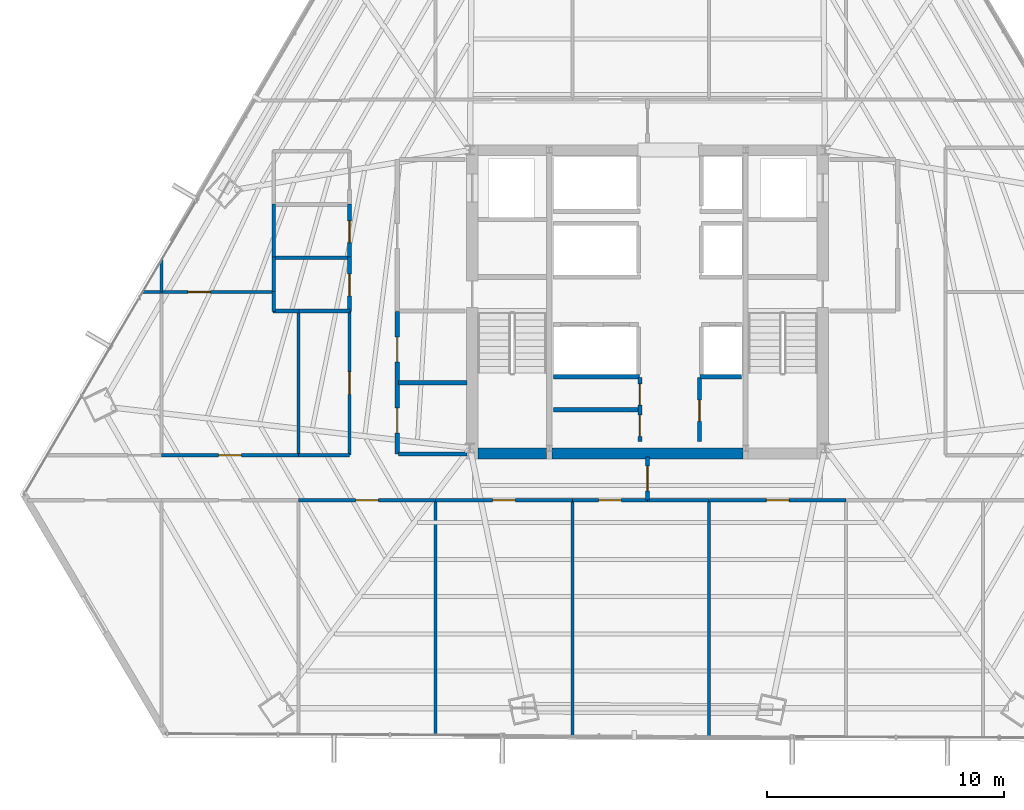
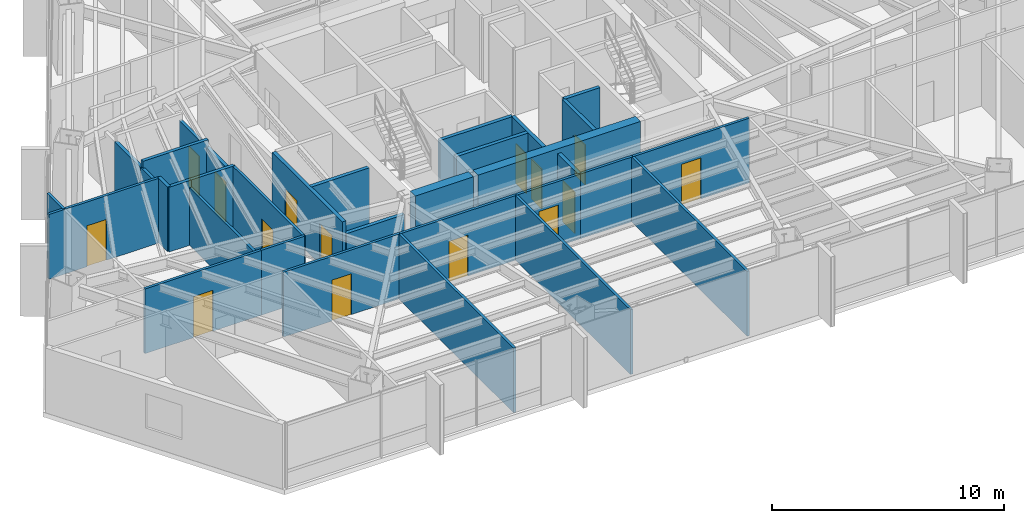
# One storey, part 30 of 37: 33 walls, 15 doors, 15 openings.
"""IFC4 building model written with IfcOpenShell, lengths in metres."""

from ifc_helpers import new_model, si_unit, direction, frame, frame_2d, origin, place, context, subcontext, project, spatial, rectangle, extrude, material, layer, layer_set, type_object, element, fill, save


model = new_model("IFC4")

# Units and contexts
model_context = context("Model", 3, precision=1e-05, world=origin(), true_north=direction((0.0, 1.0)))
body_context = subcontext(model_context, "Body", "Model", "MODEL_VIEW")
ifc_project = project(units=[si_unit("LENGTHUNIT", "METRE"), si_unit("AREAUNIT", "SQUARE_METRE"), si_unit("VOLUMEUNIT", "CUBIC_METRE"), si_unit("PLANEANGLEUNIT", "RADIAN"), si_unit("MASSUNIT", "GRAM", prefix="KILO")], contexts=[model_context])

# Site, building, storey
site_placement = place(None, origin())
site = spatial("IfcSite", under=ifc_project, at=site_placement, CompositionType="ELEMENT")
building_placement = place(site_placement, origin())
building = spatial("IfcBuilding", under=site, at=building_placement, Name="Caelisora Broadcast Tower", CompositionType="ELEMENT")
storey_placement = place(building_placement, frame((0.0, 0.0, 105.39990234375)))
storey = spatial("IfcBuildingStorey", under=building, at=storey_placement, Name="L27", CompositionType="ELEMENT", Elevation=105.39990234375)

# Walls
ifc_material_1 = material(Name="Concrete 50 MPa (AS 3600 S50)", Category="concrete")
ifc_layer_1 = layer(ifc_material_1, 0.449951171875, Name="Concrete 50 MPa (AS 3600 S50)")
ifc_layer_set_1 = layer_set([ifc_layer_1], Name="Concrete 50 MPa (AS 3600 S50)")
wall_type_1 = type_object("IfcWallType", Name="CW5", PredefinedType="SHEAR", material=ifc_layer_set_1)
wall_1_placement = place(storey_placement, frame((30.840087890625, 17.175048828125, 0.0), z_axis=(0.0, 0.0, 1.0), x_axis=(1.0, 0.0, 0.0)))
element("IfcWall", 1, at=wall_1_placement, inside=storey, type_object=wall_type_1, Name="L27 core shear wall CW5", PredefinedType="SHEAR", context=body_context, shape_type="SweptSolid", body=[
    extrude(rectangle(XDim=2.89990234375, YDim=0.449951171875, at=frame_2d((1.449951171875, 0.0))), origin(), (0.0, 0.0, 1.0), 3.650146484375),
])
wall_2_placement = place(storey_placement, frame((33.9599609375, 17.175048828125, 0.0), z_axis=(0.0, 0.0, 1.0), x_axis=(1.0, 0.0, 0.0)))
element("IfcWall", 2, at=wall_2_placement, inside=storey, type_object=wall_type_1, Name="L27 core shear wall CW5", PredefinedType="SHEAR", context=body_context, shape_type="SweptSolid", body=[
    extrude(rectangle(XDim=8.080078125, YDim=0.449951171875, at=frame_2d((4.0400390625, 0.0))), origin(), (0.0, 0.0, 1.0), 3.650146484375),
])
ifc_material_2 = material(Name="Fire-Rated Gypsum Shaft and Compartment Wall", Category="gypsum")
ifc_layer_2 = layer(ifc_material_2, 0.179931640625, Name="Fire-Rated Gypsum Shaft and Compartment Wall")
ifc_layer_set_2 = layer_set([ifc_layer_2], Name="Fire-Rated Gypsum Shaft and Compartment Wall")
wall_type_2 = type_object("IfcWallType", Name="PW2", PredefinedType="PARTITIONING", material=ifc_layer_set_2)
wall_3_placement = place(storey_placement, frame((34.02001953125, 20.419921875, 0.0), z_axis=(0.0, 0.0, 1.0), x_axis=(1.0, 0.0, 0.0)))
element("IfcWall", 3, at=wall_3_placement, inside=storey, type_object=wall_type_2, Name="L27 fire compartment wall PW2", PredefinedType="PARTITIONING", context=body_context, shape_type="SweptSolid", body=[
    extrude(rectangle(XDim=3.639892578125, YDim=0.179931640625, at=frame_2d((1.81982421875, 0.0))), origin(), (0.0, 0.0, 1.0), 3.400146484375),
])
wall_4_placement = place(storey_placement, frame((40.219970703125, 20.419921875, 0.0), z_axis=(0.0, 0.0, 1.0), x_axis=(1.0, 0.0, 0.0)))
element("IfcWall", 4, at=wall_4_placement, inside=storey, type_object=wall_type_2, Name="L27 fire compartment wall PW2", PredefinedType="PARTITIONING", context=body_context, shape_type="SweptSolid", body=[
    extrude(rectangle(XDim=1.760009765625, YDim=0.179931640625, at=frame_2d((0.8798828125, 0.0))), origin(), (0.0, 0.0, 1.0), 3.400146484375),
])
wall_5_placement = place(storey_placement, frame((34.02001953125, 19.02001953125, 0.0), z_axis=(0.0, 0.0, 1.0), x_axis=(1.0, 0.0, 0.0)))
element("IfcWall", 5, at=wall_5_placement, inside=storey, type_object=wall_type_2, Name="L27 fire compartment wall PW2", PredefinedType="PARTITIONING", context=body_context, shape_type="SweptSolid", body=[
    extrude(rectangle(XDim=3.580078125, YDim=0.179931640625, at=frame_2d((1.7900390625, 0.0))), origin(), (0.0, 0.0, 1.0), 3.400146484375),
])

# Wall, openings, doors
wall_6_placement = place(storey_placement, frame((37.679931640625, 17.679931640625, 0.0), z_axis=(0.0, 0.0, 1.0), x_axis=(0.0, 1.0, 0.0)))
wall_6 = element("IfcWall", 6, at=wall_6_placement, inside=storey, type_object=wall_type_2, Name="L27 fire compartment wall PW2", PredefinedType="PARTITIONING", context=body_context, shape_type="SweptSolid", body=[
    extrude(rectangle(XDim=2.699951171875, YDim=0.179931640625, at=frame_2d((1.35009765625, 0.0))), origin(), (0.0, 0.0, 1.0), 3.400146484375),
])
opening_1_placement = place(wall_6_placement, frame((0.219970703125, 0.0, 0.0)))
opening_1 = element("IfcOpeningElement", 7, at=opening_1_placement, cuts=wall_6, Name="Opening FD03", PredefinedType="OPENING", context=body_context, shape_type="SweptSolid", body=[
    extrude(rectangle(XDim=0.89990234375, YDim=2.10009765625, at=frame_2d((0.449951171875, 1.050048828125))), frame((0.0, 0.10205078125, 0.0), z_axis=(0.0, -1.0, 0.0), x_axis=(1.0, 0.0, 0.0)), (0.0, 0.0, 1.0), 0.203857421875),
])
opening_2_placement = place(wall_6_placement, frame((1.5400390625, 0.0, 0.0)))
opening_2 = element("IfcOpeningElement", 8, at=opening_2_placement, cuts=wall_6, Name="Opening FD03", PredefinedType="OPENING", context=body_context, shape_type="SweptSolid", body=[
    extrude(rectangle(XDim=0.89990234375, YDim=2.10009765625, at=frame_2d((0.449951171875, 1.050048828125))), frame((0.0, 0.10205078125, 0.0), z_axis=(0.0, -1.0, 0.0), x_axis=(1.0, 0.0, 0.0)), (0.0, 0.0, 1.0), 0.203857421875),
])
ifc_material_3 = material(Name="Single-Leaf Steel Riser Fire Access Door", Category="steel")
door_type_1 = type_object("IfcDoorType", Name="FD03", OperationType="NOTDEFINED", PredefinedType="DOOR", material=ifc_material_3)
door_1_placement = place(opening_1_placement, origin())
door_1 = element("IfcDoor", 9, at=door_1_placement, inside=storey, type_object=door_type_1, Name="L27 door FD03 (L27-DR-P12D1)", OperationType="SINGLE_SWING_LEFT", OverallHeight=2.10009765625, OverallWidth=0.89990234375, PredefinedType="DOOR", context=body_context, shape_type="SweptSolid", body=[
    extrude(rectangle(XDim=0.89990234375, YDim=2.10009765625, at=frame_2d((0.449951171875, 1.050048828125))), frame((0.0, 0.02490234375, 0.0), z_axis=(0.0, -1.0, 0.0), x_axis=(1.0, 0.0, 0.0)), (0.0, 0.0, 1.0), 0.050048828125),
])
fill(opening_1, door_1)
door_2_placement = place(opening_2_placement, origin())
door_2 = element("IfcDoor", 10, at=door_2_placement, inside=storey, type_object=door_type_1, Name="L27 door FD03 (L27-DR-P12D2)", OperationType="SINGLE_SWING_RIGHT", OverallHeight=2.10009765625, OverallWidth=0.89990234375, PredefinedType="DOOR", context=body_context, shape_type="SweptSolid", body=[
    extrude(rectangle(XDim=0.89990234375, YDim=2.10009765625, at=frame_2d((0.449951171875, 1.050048828125))), frame((0.0, 0.02490234375, 0.0), z_axis=(0.0, -1.0, 0.0), x_axis=(1.0, 0.0, 0.0)), (0.0, 0.0, 1.0), 0.050048828125),
])
fill(opening_2, door_2)

# Wall, opening, door
wall_7_placement = place(storey_placement, frame((40.199951171875, 17.679931640625, 0.0), z_axis=(0.0, 0.0, 1.0), x_axis=(0.0, 1.0, 0.0)))
wall_7 = element("IfcWall", 11, at=wall_7_placement, inside=storey, type_object=wall_type_2, Name="L27 fire compartment wall PW2", PredefinedType="PARTITIONING", context=body_context, shape_type="SweptSolid", body=[
    extrude(rectangle(XDim=2.699951171875, YDim=0.179931640625, at=frame_2d((1.35009765625, 0.0))), origin(), (0.0, 0.0, 1.0), 3.400146484375),
])
opening_3_placement = place(wall_7_placement, frame((0.85009765625, 0.0, 0.0)))
opening_3 = element("IfcOpeningElement", 12, at=opening_3_placement, cuts=wall_7, Name="Opening FD03", PredefinedType="OPENING", context=body_context, shape_type="SweptSolid", body=[
    extrude(rectangle(XDim=0.89990234375, YDim=2.10009765625, at=frame_2d((0.449951171875, 1.050048828125))), frame((0.0, 0.10205078125, 0.0), z_axis=(0.0, -1.0, 0.0), x_axis=(1.0, 0.0, 0.0)), (0.0, 0.0, 1.0), 0.203857421875),
])
door_3_placement = place(opening_3_placement, origin())
door_3 = element("IfcDoor", 13, at=door_3_placement, inside=storey, type_object=door_type_1, Name="L27 door FD03 (L27-DR-P13D1)", OperationType="SINGLE_SWING_LEFT", OverallHeight=2.10009765625, OverallWidth=0.89990234375, PredefinedType="DOOR", context=body_context, shape_type="SweptSolid", body=[
    extrude(rectangle(XDim=0.89990234375, YDim=2.10009765625, at=frame_2d((0.449951171875, 1.050048828125))), frame((0.0, 0.02490234375, 0.0), z_axis=(0.0, -1.0, 0.0), x_axis=(1.0, 0.0, 0.0)), (0.0, 0.0, 1.0), 0.050048828125),
])
fill(opening_3, door_3)

# Wall
wall_8_placement = place(storey_placement, frame((27.47998046875, 20.169921875, 0.0), z_axis=(0.0, 0.0, 1.0), x_axis=(1.0, 0.0, 0.0)))
element("IfcWall", 14, at=wall_8_placement, inside=storey, type_object=wall_type_2, Name="L27 fire compartment wall PW2", PredefinedType="PARTITIONING", context=body_context, shape_type="SweptSolid", body=[
    extrude(rectangle(XDim=2.89990234375, YDim=0.179931640625, at=frame_2d((1.449951171875, 0.0))), origin(), (0.0, 0.0, 1.0), 3.400146484375),
])

# Wall, openings, doors
wall_9_placement = place(storey_placement, frame((27.419921875, 17.14990234375, 0.0), z_axis=(0.0, 0.0, 1.0), x_axis=(0.0, 1.0, 0.0)))
wall_9 = element("IfcWall", 15, at=wall_9_placement, inside=storey, type_object=wall_type_2, Name="L27 fire compartment wall PW2", PredefinedType="PARTITIONING", context=body_context, shape_type="SweptSolid", body=[
    extrude(rectangle(XDim=6.030029296875, YDim=0.179931640625, at=frame_2d((3.01513671875, 0.0))), origin(), (0.0, 0.0, 1.0), 3.400146484375),
])
opening_4_placement = place(wall_9_placement, frame((0.89990234375, 0.0, 0.0)))
opening_4 = element("IfcOpeningElement", 16, at=opening_4_placement, cuts=wall_9, Name="Opening FD02", PredefinedType="OPENING", context=body_context, shape_type="SweptSolid", body=[
    extrude(rectangle(XDim=1.050048828125, YDim=2.14990234375, at=frame_2d((0.52490234375, 1.074951171875))), frame((0.0, 0.10205078125, 0.0), z_axis=(0.0, -1.0, 0.0), x_axis=(1.0, 0.0, 0.0)), (0.0, 0.0, 1.0), 0.203857421875),
])
opening_5_placement = place(wall_9_placement, frame((3.89990234375, 0.0, 0.0)))
opening_5 = element("IfcOpeningElement", 17, at=opening_5_placement, cuts=wall_9, Name="Opening FD02", PredefinedType="OPENING", context=body_context, shape_type="SweptSolid", body=[
    extrude(rectangle(XDim=1.050048828125, YDim=2.14990234375, at=frame_2d((0.52490234375, 1.074951171875))), frame((0.0, 0.10205078125, 0.0), z_axis=(0.0, -1.0, 0.0), x_axis=(1.0, 0.0, 0.0)), (0.0, 0.0, 1.0), 0.203857421875),
])
ifc_material_4 = material(Name="Single-Leaf Steel Fire Lobby Door", Category="steel")
door_type_2 = type_object("IfcDoorType", Name="FD02", OperationType="NOTDEFINED", PredefinedType="DOOR", material=ifc_material_4)
door_4_placement = place(opening_4_placement, origin())
door_4 = element("IfcDoor", 18, at=door_4_placement, inside=storey, type_object=door_type_2, Name="L27 door FD02 (L27-DR-P15D1)", OperationType="SINGLE_SWING_RIGHT", OverallHeight=2.14990234375, OverallWidth=1.050048828125, PredefinedType="DOOR", context=body_context, shape_type="SweptSolid", body=[
    extrude(rectangle(XDim=1.050048828125, YDim=2.14990234375, at=frame_2d((0.52490234375, 1.074951171875))), frame((0.0, 0.02490234375, 0.0), z_axis=(0.0, -1.0, 0.0), x_axis=(1.0, 0.0, 0.0)), (0.0, 0.0, 1.0), 0.050048828125),
])
fill(opening_4, door_4)
door_5_placement = place(opening_5_placement, origin())
door_5 = element("IfcDoor", 19, at=door_5_placement, inside=storey, type_object=door_type_2, Name="L27 door FD02 (L27-DR-P15D2)", OperationType="SINGLE_SWING_LEFT", OverallHeight=2.14990234375, OverallWidth=1.050048828125, PredefinedType="DOOR", context=body_context, shape_type="SweptSolid", body=[
    extrude(rectangle(XDim=1.050048828125, YDim=2.14990234375, at=frame_2d((0.52490234375, 1.074951171875))), frame((0.0, 0.02490234375, 0.0), z_axis=(0.0, -1.0, 0.0), x_axis=(1.0, 0.0, 0.0)), (0.0, 0.0, 1.0), 0.050048828125),
])
fill(opening_5, door_5)

# Wall
wall_10_placement = place(storey_placement, frame((27.47998046875, 17.14990234375, 0.0), z_axis=(0.0, 0.0, 1.0), x_axis=(1.0, 0.0, 0.0)))
element("IfcWall", 20, at=wall_10_placement, inside=storey, type_object=wall_type_2, Name="L27 fire compartment wall PW2", PredefinedType="PARTITIONING", context=body_context, shape_type="SweptSolid", body=[
    extrude(rectangle(XDim=2.89990234375, YDim=0.179931640625, at=frame_2d((1.449951171875, 0.0))), origin(), (0.0, 0.0, 1.0), 2.782958984375),
])

# Wall, opening, door
wall_11_placement = place(storey_placement, frame((38.0, 15.205078125, 0.0), z_axis=(0.0, 0.0, 1.0), x_axis=(0.0, 1.0, 0.0)))
wall_11 = element("IfcWall", 21, at=wall_11_placement, inside=storey, type_object=wall_type_2, Name="L27 fire compartment wall PW2", PredefinedType="PARTITIONING", context=body_context, shape_type="SweptSolid", body=[
    extrude(rectangle(XDim=1.81982421875, YDim=0.179931640625, at=frame_2d((0.909912109375, 0.0))), origin(), (0.0, 0.0, 1.0), 3.400146484375),
])
opening_6_placement = place(wall_11_placement, frame((0.385009765625, 0.0, 0.0)))
opening_6 = element("IfcOpeningElement", 22, at=opening_6_placement, cuts=wall_11, Name="Opening FD02", PredefinedType="OPENING", context=body_context, shape_type="SweptSolid", body=[
    extrude(rectangle(XDim=1.050048828125, YDim=2.14990234375, at=frame_2d((0.52490234375, 1.074951171875))), frame((0.0, 0.10205078125, 0.0), z_axis=(0.0, -1.0, 0.0), x_axis=(1.0, 0.0, 0.0)), (0.0, 0.0, 1.0), 0.203857421875),
])
door_6_placement = place(opening_6_placement, origin())
door_6 = element("IfcDoor", 23, at=door_6_placement, inside=storey, type_object=door_type_2, Name="L27 door FD02 (L27-DR-P75D1)", OperationType="SINGLE_SWING_RIGHT", OverallHeight=2.14990234375, OverallWidth=1.050048828125, PredefinedType="DOOR", context=body_context, shape_type="SweptSolid", body=[
    extrude(rectangle(XDim=1.050048828125, YDim=2.14990234375, at=frame_2d((0.52490234375, 1.074951171875))), frame((0.0, 0.02490234375, 0.0), z_axis=(0.0, -1.0, 0.0), x_axis=(1.0, 0.0, 0.0)), (0.0, 0.0, 1.0), 0.050048828125),
])
fill(opening_6, door_6)

# Walls
ifc_material_5 = material(Name="Acoustic Steel-Stud Plasterboard Partition", Category="gypsum")
ifc_layer_3 = layer(ifc_material_5, 0.1298828125, Name="Acoustic Steel-Stud Plasterboard Partition")
ifc_layer_set_3 = layer_set([ifc_layer_3], Name="Acoustic Steel-Stud Plasterboard Partition")
wall_type_3 = type_object("IfcWallType", Name="PW3", PredefinedType="PARTITIONING", material=ifc_layer_set_3)
wall_12_placement = place(storey_placement, frame((40.610107421875, 5.215576171875, 0.0), z_axis=(0.0, 0.0, 1.0), x_axis=(0.0, 1.0, 0.0)))
element("IfcWall", 24, at=wall_12_placement, inside=storey, type_object=wall_type_3, Name="L27 internal partition PW3", PredefinedType="PARTITIONING", context=body_context, shape_type="SweptSolid", body=[
    extrude(rectangle(XDim=9.9794921875, YDim=0.1298828125, at=frame_2d((4.98974609375, 0.0))), origin(), (0.0, 0.0, 1.0), 3.400146484375),
])
wall_13_placement = place(storey_placement, frame((34.830078125, 5.241943359375, 0.0), z_axis=(0.0, 0.0, 1.0), x_axis=(0.0, 1.0, 0.0)))
element("IfcWall", 25, at=wall_13_placement, inside=storey, type_object=wall_type_3, Name="L27 internal partition PW3", PredefinedType="PARTITIONING", context=body_context, shape_type="SweptSolid", body=[
    extrude(rectangle(XDim=9.953125, YDim=0.1298828125, at=frame_2d((4.9765625, 0.0))), origin(), (0.0, 0.0, 1.0), 3.400146484375),
])
wall_14_placement = place(storey_placement, frame((29.0400390625, 5.268310546875, 0.0), z_axis=(0.0, 0.0, 1.0), x_axis=(0.0, 1.0, 0.0)))
element("IfcWall", 26, at=wall_14_placement, inside=storey, type_object=wall_type_3, Name="L27 internal partition PW3", PredefinedType="PARTITIONING", context=body_context, shape_type="SweptSolid", body=[
    extrude(rectangle(XDim=9.9267578125, YDim=0.1298828125, at=frame_2d((4.96337890625, 0.0))), origin(), (0.0, 0.0, 1.0), 3.400146484375),
])

# Wall, opening, door
wall_15_placement = place(storey_placement, frame((25.39990234375, 17.10498046875, 0.0), z_axis=(0.0, 0.0, 1.0), x_axis=(0.0, 1.0, 0.0)))
wall_15 = element("IfcWall", 27, at=wall_15_placement, inside=storey, type_object=wall_type_3, Name="L27 internal partition PW3", PredefinedType="PARTITIONING", context=body_context, shape_type="SweptSolid", body=[
    extrude(rectangle(XDim=6.090087890625, YDim=0.1298828125, at=frame_2d((3.044921875, 0.0))), origin(), (0.0, 0.0, 1.0), 3.400146484375),
])
opening_7_placement = place(wall_15_placement, frame((2.56494140625, 0.0, 0.0)))
opening_7 = element("IfcOpeningElement", 28, at=opening_7_placement, cuts=wall_15, Name="Opening D01", PredefinedType="OPENING", context=body_context, shape_type="SweptSolid", body=[
    extrude(rectangle(XDim=0.9599609375, YDim=2.14990234375, at=frame_2d((0.47998046875, 1.074951171875))), frame((0.0, 0.076904296875, 0.0), z_axis=(0.0, -1.0, 0.0), x_axis=(1.0, 0.0, 0.0)), (0.0, 0.0, 1.0), 0.15380859375),
])
ifc_material_6 = material(Name="Solid-Core Timber Acoustic Office Door", Category="wood")
door_type_3 = type_object("IfcDoorType", Name="D01", OperationType="NOTDEFINED", PredefinedType="DOOR", material=ifc_material_6)
door_7_placement = place(opening_7_placement, origin())
door_7 = element("IfcDoor", 29, at=door_7_placement, inside=storey, type_object=door_type_3, Name="L27 door D01 (L27-DR-P48D1)", OperationType="SINGLE_SWING_LEFT", OverallHeight=2.14990234375, OverallWidth=0.9599609375, PredefinedType="DOOR", context=body_context, shape_type="SweptSolid", body=[
    extrude(rectangle(XDim=0.9599609375, YDim=2.14990234375, at=frame_2d((0.47998046875, 1.074951171875))), frame((0.0, 0.02490234375, 0.0), z_axis=(0.0, -1.0, 0.0), x_axis=(1.0, 0.0, 0.0)), (0.0, 0.0, 1.0), 0.050048828125),
])
fill(opening_7, door_7)

# Wall
wall_16_placement = place(storey_placement, frame((23.25, 17.10498046875, 0.0), z_axis=(0.0, 0.0, 1.0), x_axis=(0.0, 1.0, 0.0)))
element("IfcWall", 30, at=wall_16_placement, inside=storey, type_object=wall_type_3, Name="L27 internal partition PW3", PredefinedType="PARTITIONING", context=body_context, shape_type="SweptSolid", body=[
    extrude(rectangle(XDim=6.090087890625, YDim=0.1298828125, at=frame_2d((3.044921875, 0.0))), origin(), (0.0, 0.0, 1.0), 3.026611328125),
])

# Wall, opening, door
wall_17_placement = place(storey_placement, frame((17.465087890625, 17.10009765625, 0.0), z_axis=(0.0, 0.0, 1.0), x_axis=(1.0, 0.0, 0.0)))
wall_17 = element("IfcWall", 31, at=wall_17_placement, inside=storey, type_object=wall_type_3, Name="L27 internal partition PW3", PredefinedType="PARTITIONING", context=body_context, shape_type="SweptSolid", body=[
    extrude(rectangle(XDim=5.780029296875, YDim=0.1298828125, at=frame_2d((2.89013671875, 0.0))), origin(), (0.0, 0.0, 1.0), 3.400146484375),
])
opening_8_placement = place(wall_17_placement, frame((2.409912109375, 0.0, 0.0)))
opening_8 = element("IfcOpeningElement", 32, at=opening_8_placement, cuts=wall_17, Name="Opening D01", PredefinedType="OPENING", context=body_context, shape_type="SweptSolid", body=[
    extrude(rectangle(XDim=0.9599609375, YDim=2.14990234375, at=frame_2d((0.47998046875, 1.074951171875))), frame((0.0, 0.076904296875, 0.0), z_axis=(0.0, -1.0, 0.0), x_axis=(1.0, 0.0, 0.0)), (0.0, 0.0, 1.0), 0.15380859375),
])
door_8_placement = place(opening_8_placement, origin())
door_8 = element("IfcDoor", 33, at=door_8_placement, inside=storey, type_object=door_type_3, Name="L27 door D01 (L27-DR-P52D1)", OperationType="SINGLE_SWING_RIGHT", OverallHeight=2.14990234375, OverallWidth=0.9599609375, PredefinedType="DOOR", context=body_context, shape_type="SweptSolid", body=[
    extrude(rectangle(XDim=0.9599609375, YDim=2.14990234375, at=frame_2d((0.47998046875, 1.074951171875))), frame((0.0, 0.02490234375, 0.0), z_axis=(0.0, -1.0, 0.0), x_axis=(1.0, 0.0, 0.0)), (0.0, 0.0, 1.0), 0.050048828125),
])
fill(opening_8, door_8)

wall_18_placement = place(storey_placement, frame((29.044921875, 15.199951171875, 0.0), z_axis=(0.0, 0.0, 1.0), x_axis=(1.0, 0.0, 0.0)))
wall_18 = element("IfcWall", 34, at=wall_18_placement, inside=storey, type_object=wall_type_3, Name="L27 internal partition PW3", PredefinedType="PARTITIONING", context=body_context, shape_type="SweptSolid", body=[
    extrude(rectangle(XDim=5.780029296875, YDim=0.1298828125, at=frame_2d((2.89013671875, 0.0))), origin(), (0.0, 0.0, 1.0), 3.400146484375),
])
opening_9_placement = place(wall_18_placement, frame((2.409912109375, 0.0, 0.0)))
opening_9 = element("IfcOpeningElement", 35, at=opening_9_placement, cuts=wall_18, Name="Opening D01", PredefinedType="OPENING", context=body_context, shape_type="SweptSolid", body=[
    extrude(rectangle(XDim=0.9599609375, YDim=2.14990234375, at=frame_2d((0.47998046875, 1.074951171875))), frame((0.0, 0.076904296875, 0.0), z_axis=(0.0, -1.0, 0.0), x_axis=(1.0, 0.0, 0.0)), (0.0, 0.0, 1.0), 0.15380859375),
])
door_9_placement = place(opening_9_placement, origin())
door_9 = element("IfcDoor", 36, at=door_9_placement, inside=storey, type_object=door_type_3, Name="L27 door D01 (L27-DR-P54D1)", OperationType="SINGLE_SWING_RIGHT", OverallHeight=2.14990234375, OverallWidth=0.9599609375, PredefinedType="DOOR", context=body_context, shape_type="SweptSolid", body=[
    extrude(rectangle(XDim=0.9599609375, YDim=2.14990234375, at=frame_2d((0.47998046875, 1.074951171875))), frame((0.0, 0.02490234375, 0.0), z_axis=(0.0, -1.0, 0.0), x_axis=(1.0, 0.0, 0.0)), (0.0, 0.0, 1.0), 0.050048828125),
])
fill(opening_9, door_9)

wall_19_placement = place(storey_placement, frame((23.2548828125, 15.199951171875, 0.0), z_axis=(0.0, 0.0, 1.0), x_axis=(1.0, 0.0, 0.0)))
wall_19 = element("IfcWall", 37, at=wall_19_placement, inside=storey, type_object=wall_type_3, Name="L27 internal partition PW3", PredefinedType="PARTITIONING", context=body_context, shape_type="SweptSolid", body=[
    extrude(rectangle(XDim=5.780029296875, YDim=0.1298828125, at=frame_2d((2.89013671875, 0.0))), origin(), (0.0, 0.0, 1.0), 3.400146484375),
])
opening_10_placement = place(wall_19_placement, frame((2.409912109375, 0.0, 0.0)))
opening_10 = element("IfcOpeningElement", 38, at=opening_10_placement, cuts=wall_19, Name="Opening D01", PredefinedType="OPENING", context=body_context, shape_type="SweptSolid", body=[
    extrude(rectangle(XDim=0.9599609375, YDim=2.14990234375, at=frame_2d((0.47998046875, 1.074951171875))), frame((0.0, 0.076904296875, 0.0), z_axis=(0.0, -1.0, 0.0), x_axis=(1.0, 0.0, 0.0)), (0.0, 0.0, 1.0), 0.15380859375),
])
door_10_placement = place(opening_10_placement, origin())
door_10 = element("IfcDoor", 39, at=door_10_placement, inside=storey, type_object=door_type_3, Name="L27 door D01 (L27-DR-P55D1)", OperationType="SINGLE_SWING_LEFT", OverallHeight=2.14990234375, OverallWidth=0.9599609375, PredefinedType="DOOR", context=body_context, shape_type="SweptSolid", body=[
    extrude(rectangle(XDim=0.9599609375, YDim=2.14990234375, at=frame_2d((0.47998046875, 1.074951171875))), frame((0.0, 0.02490234375, 0.0), z_axis=(0.0, -1.0, 0.0), x_axis=(1.0, 0.0, 0.0)), (0.0, 0.0, 1.0), 0.050048828125),
])
fill(opening_10, door_10)

wall_20_placement = place(storey_placement, frame((40.614990234375, 15.199951171875, 0.0), z_axis=(0.0, 0.0, 1.0), x_axis=(1.0, 0.0, 0.0)))
wall_20 = element("IfcWall", 40, at=wall_20_placement, inside=storey, type_object=wall_type_3, Name="L27 internal partition PW3", PredefinedType="PARTITIONING", context=body_context, shape_type="SweptSolid", body=[
    extrude(rectangle(XDim=5.780029296875, YDim=0.1298828125, at=frame_2d((2.89013671875, 0.0))), origin(), (0.0, 0.0, 1.0), 3.400146484375),
])
opening_11_placement = place(wall_20_placement, frame((2.409912109375, 0.0, 0.0)))
opening_11 = element("IfcOpeningElement", 41, at=opening_11_placement, cuts=wall_20, Name="Opening D01", PredefinedType="OPENING", context=body_context, shape_type="SweptSolid", body=[
    extrude(rectangle(XDim=0.9599609375, YDim=2.14990234375, at=frame_2d((0.47998046875, 1.074951171875))), frame((0.0, 0.076904296875, 0.0), z_axis=(0.0, -1.0, 0.0), x_axis=(1.0, 0.0, 0.0)), (0.0, 0.0, 1.0), 0.15380859375),
])
door_11_placement = place(opening_11_placement, origin())
door_11 = element("IfcDoor", 42, at=door_11_placement, inside=storey, type_object=door_type_3, Name="L27 door D01 (L27-DR-P60D1)", OperationType="SINGLE_SWING_RIGHT", OverallHeight=2.14990234375, OverallWidth=0.9599609375, PredefinedType="DOOR", context=body_context, shape_type="SweptSolid", body=[
    extrude(rectangle(XDim=0.9599609375, YDim=2.14990234375, at=frame_2d((0.47998046875, 1.074951171875))), frame((0.0, 0.02490234375, 0.0), z_axis=(0.0, -1.0, 0.0), x_axis=(1.0, 0.0, 0.0)), (0.0, 0.0, 1.0), 0.050048828125),
])
fill(opening_11, door_11)

wall_21_placement = place(storey_placement, frame((16.68115234375, 24.0, 0.0), z_axis=(0.0, 0.0, 1.0), x_axis=(1.0, 0.0, 0.0)))
wall_21 = element("IfcWall", 43, at=wall_21_placement, inside=storey, type_object=wall_type_3, Name="L27 internal partition PW3", PredefinedType="PARTITIONING", context=body_context, shape_type="SweptSolid", body=[
    extrude(rectangle(XDim=5.513916015625, YDim=0.1298828125, at=frame_2d((2.7568359375, 0.0))), origin(), (0.0, 0.0, 1.0), 3.400146484375),
])
opening_12_placement = place(wall_21_placement, frame((1.885009765625, 0.0, 0.0)))
opening_12 = element("IfcOpeningElement", 44, at=opening_12_placement, cuts=wall_21, Name="Opening D01", PredefinedType="OPENING", context=body_context, shape_type="SweptSolid", body=[
    extrude(rectangle(XDim=0.9599609375, YDim=2.14990234375, at=frame_2d((0.47998046875, 1.074951171875))), frame((0.0, 0.076904296875, 0.0), z_axis=(0.0, -1.0, 0.0), x_axis=(1.0, 0.0, 0.0)), (0.0, 0.0, 1.0), 0.15380859375),
])
door_12_placement = place(opening_12_placement, origin())
door_12 = element("IfcDoor", 45, at=door_12_placement, inside=storey, type_object=door_type_3, Name="L27 door D01 (L27-DR-P64D1)", OperationType="SINGLE_SWING_LEFT", OverallHeight=2.14990234375, OverallWidth=0.9599609375, PredefinedType="DOOR", context=body_context, shape_type="SweptSolid", body=[
    extrude(rectangle(XDim=0.9599609375, YDim=2.14990234375, at=frame_2d((0.47998046875, 1.074951171875))), frame((0.0, 0.02490234375, 0.0), z_axis=(0.0, -1.0, 0.0), x_axis=(1.0, 0.0, 0.0)), (0.0, 0.0, 1.0), 0.050048828125),
])
fill(opening_12, door_12)

wall_22_placement = place(storey_placement, frame((34.8349609375, 15.199951171875, 0.0), z_axis=(0.0, 0.0, 1.0), x_axis=(1.0, 0.0, 0.0)))
wall_22 = element("IfcWall", 46, at=wall_22_placement, inside=storey, type_object=wall_type_3, Name="L27 internal partition PW3", PredefinedType="PARTITIONING", context=body_context, shape_type="SweptSolid", body=[
    extrude(rectangle(XDim=3.16015625, YDim=0.1298828125, at=frame_2d((1.580078125, 0.0))), origin(), (0.0, 0.0, 1.0), 3.400146484375),
])
opening_13_placement = place(wall_22_placement, frame((1.10009765625, 0.0, 0.0)))
opening_13 = element("IfcOpeningElement", 47, at=opening_13_placement, cuts=wall_22, Name="Opening D01", PredefinedType="OPENING", context=body_context, shape_type="SweptSolid", body=[
    extrude(rectangle(XDim=0.9599609375, YDim=2.14990234375, at=frame_2d((0.47998046875, 1.074951171875))), frame((0.0, 0.076904296875, 0.0), z_axis=(0.0, -1.0, 0.0), x_axis=(1.0, 0.0, 0.0)), (0.0, 0.0, 1.0), 0.15380859375),
])
door_13_placement = place(opening_13_placement, origin())
door_13 = element("IfcDoor", 48, at=door_13_placement, inside=storey, type_object=door_type_3, Name="L27 door D01 (L27-DR-P70D1)", OperationType="SINGLE_SWING_LEFT", OverallHeight=2.14990234375, OverallWidth=0.9599609375, PredefinedType="DOOR", context=body_context, shape_type="SweptSolid", body=[
    extrude(rectangle(XDim=0.9599609375, YDim=2.14990234375, at=frame_2d((0.47998046875, 1.074951171875))), frame((0.0, 0.02490234375, 0.0), z_axis=(0.0, -1.0, 0.0), x_axis=(1.0, 0.0, 0.0)), (0.0, 0.0, 1.0), 0.050048828125),
])
fill(opening_13, door_13)

# Walls
wall_23_placement = place(storey_placement, frame((38.0048828125, 15.199951171875, 0.0), z_axis=(0.0, 0.0, 1.0), x_axis=(1.0, 0.0, 0.0)))
element("IfcWall", 49, at=wall_23_placement, inside=storey, type_object=wall_type_3, Name="L27 internal partition PW3", PredefinedType="PARTITIONING", context=body_context, shape_type="SweptSolid", body=[
    extrude(rectangle(XDim=2.60009765625, YDim=0.1298828125, at=frame_2d((1.300048828125, 0.0))), origin(), (0.0, 0.0, 1.0), 3.400146484375),
])
wall_24_placement = place(storey_placement, frame((23.2548828125, 17.10009765625, 0.0), z_axis=(0.0, 0.0, 1.0), x_axis=(1.0, 0.0, 0.0)))
element("IfcWall", 50, at=wall_24_placement, inside=storey, type_object=wall_type_3, Name="L27 internal partition PW3", PredefinedType="PARTITIONING", context=body_context, shape_type="SweptSolid", body=[
    extrude(rectangle(XDim=2.14013671875, YDim=0.1298828125, at=frame_2d((1.070068359375, 0.0))), origin(), (0.0, 0.0, 1.0), 3.400146484375),
])
wall_25_placement = place(storey_placement, frame((17.4599609375, 24.0048828125, 0.0), z_axis=(0.0, 0.0, 1.0), x_axis=(0.0, 1.0, 0.0)))
element("IfcWall", 51, at=wall_25_placement, inside=storey, type_object=wall_type_3, Name="L27 internal partition PW3", PredefinedType="PARTITIONING", context=body_context, shape_type="SweptSolid", body=[
    extrude(rectangle(XDim=1.368408203125, YDim=0.1298828125, at=frame_2d((0.68408203125, 0.0))), origin(), (0.0, 0.0, 1.0), 3.400146484375),
])
ifc_material_7 = material(Name="Moisture-Resistant Wet Plumbing Service Wall", Category="gypsum")
ifc_layer_4 = layer(ifc_material_7, 0.159912109375, Name="Moisture-Resistant Wet Plumbing Service Wall")
ifc_layer_set_4 = layer_set([ifc_layer_4], Name="Moisture-Resistant Wet Plumbing Service Wall")
wall_type_4 = type_object("IfcWallType", Name="PW4", PredefinedType="PLUMBINGWALL", material=ifc_layer_set_4)
wall_26_placement = place(storey_placement, frame((22.175048828125, 25.449951171875, 0.0), z_axis=(0.0, 0.0, 1.0), x_axis=(1.0, 0.0, 0.0)))
element("IfcWall", 52, at=wall_26_placement, inside=storey, type_object=wall_type_4, Name="L27 wet plumbing wall PW4", PredefinedType="PLUMBINGWALL", context=body_context, shape_type="SweptSolid", body=[
    extrude(rectangle(XDim=3.25, YDim=0.159912109375, at=frame_2d((1.625, 0.0))), origin(), (0.0, 0.0, 1.0), 3.400146484375),
])

# Wall, opening, door
wall_27_placement = place(storey_placement, frame((25.39990234375, 23.175048828125, 0.0), z_axis=(0.0, 0.0, 1.0), x_axis=(0.0, 1.0, 0.0)))
wall_27 = element("IfcWall", 53, at=wall_27_placement, inside=storey, type_object=wall_type_4, Name="L27 wet plumbing wall PW4", PredefinedType="PLUMBINGWALL", context=body_context, shape_type="SweptSolid", body=[
    extrude(rectangle(XDim=2.300048828125, YDim=0.159912109375, at=frame_2d((1.14990234375, 0.0))), origin(), (0.0, 0.0, 1.0), 3.026611328125),
])
opening_14_placement = place(wall_27_placement, frame((0.659912109375, 0.0, 0.0)))
opening_14 = element("IfcOpeningElement", 54, at=opening_14_placement, cuts=wall_27, Name="Opening D03", PredefinedType="OPENING", context=body_context, shape_type="SweptSolid", body=[
    extrude(rectangle(XDim=0.919921875, YDim=2.10009765625, at=frame_2d((0.4599609375, 1.050048828125))), frame((0.0, 0.092041015625, 0.0), z_axis=(0.0, -1.0, 0.0), x_axis=(1.0, 0.0, 0.0)), (0.0, 0.0, 1.0), 0.183837890625),
])
ifc_material_8 = material(Name="Laminate Moisture-Resistant Amenity WC Door", Category="wood")
door_type_4 = type_object("IfcDoorType", Name="D03", OperationType="NOTDEFINED", PredefinedType="DOOR", material=ifc_material_8)
door_14_placement = place(opening_14_placement, origin())
door_14 = element("IfcDoor", 55, at=door_14_placement, inside=storey, type_object=door_type_4, Name="L27 door D03 (L27-DR-P19D1)", OperationType="SINGLE_SWING_RIGHT", OverallHeight=2.10009765625, OverallWidth=0.919921875, PredefinedType="DOOR", context=body_context, shape_type="SweptSolid", body=[
    extrude(rectangle(XDim=0.919921875, YDim=2.10009765625, at=frame_2d((0.4599609375, 1.050048828125))), frame((0.0, 0.02490234375, 0.0), z_axis=(0.0, -1.0, 0.0), x_axis=(1.0, 0.0, 0.0)), (0.0, 0.0, 1.0), 0.050048828125),
])
fill(opening_14, door_14)

wall_28_placement = place(storey_placement, frame((25.39990234375, 25.425048828125, 0.0), z_axis=(0.0, 0.0, 1.0), x_axis=(0.0, 1.0, 0.0)))
wall_28 = element("IfcWall", 56, at=wall_28_placement, inside=storey, type_object=wall_type_4, Name="L27 wet plumbing wall PW4", PredefinedType="PLUMBINGWALL", context=body_context, shape_type="SweptSolid", body=[
    extrude(rectangle(XDim=2.300048828125, YDim=0.159912109375, at=frame_2d((1.14990234375, 0.0))), origin(), (0.0, 0.0, 1.0), 3.026611328125),
])
opening_15_placement = place(wall_28_placement, frame((0.659912109375, 0.0, 0.0)))
opening_15 = element("IfcOpeningElement", 57, at=opening_15_placement, cuts=wall_28, Name="Opening D03", PredefinedType="OPENING", context=body_context, shape_type="SweptSolid", body=[
    extrude(rectangle(XDim=0.919921875, YDim=2.10009765625, at=frame_2d((0.4599609375, 1.050048828125))), frame((0.0, 0.092041015625, 0.0), z_axis=(0.0, -1.0, 0.0), x_axis=(1.0, 0.0, 0.0)), (0.0, 0.0, 1.0), 0.183837890625),
])
door_15_placement = place(opening_15_placement, origin())
door_15 = element("IfcDoor", 58, at=door_15_placement, inside=storey, type_object=door_type_4, Name="L27 door D03 (L27-DR-P20D1)", OperationType="SINGLE_SWING_LEFT", OverallHeight=2.10009765625, OverallWidth=0.919921875, PredefinedType="DOOR", context=body_context, shape_type="SweptSolid", body=[
    extrude(rectangle(XDim=0.919921875, YDim=2.10009765625, at=frame_2d((0.4599609375, 1.050048828125))), frame((0.0, 0.02490234375, 0.0), z_axis=(0.0, -1.0, 0.0), x_axis=(1.0, 0.0, 0.0)), (0.0, 0.0, 1.0), 0.050048828125),
])
fill(opening_15, door_15)

# Walls
wall_29_placement = place(storey_placement, frame((22.199951171875, 25.425048828125, 0.0), z_axis=(0.0, 0.0, 1.0), x_axis=(0.0, 1.0, 0.0)))
element("IfcWall", 59, at=wall_29_placement, inside=storey, type_object=wall_type_4, Name="L27 wet plumbing wall PW4", PredefinedType="PLUMBINGWALL", context=body_context, shape_type="SweptSolid", body=[
    extrude(rectangle(XDim=2.300048828125, YDim=0.159912109375, at=frame_2d((1.14990234375, 0.0))), origin(), (0.0, 0.0, 1.0), 3.026611328125),
])
wall_30_placement = place(storey_placement, frame((23.22509765625, 23.199951171875, 0.0), z_axis=(0.0, 0.0, 1.0), x_axis=(1.0, 0.0, 0.0)))
element("IfcWall", 60, at=wall_30_placement, inside=storey, type_object=wall_type_4, Name="L27 wet plumbing wall PW4", PredefinedType="PLUMBINGWALL", context=body_context, shape_type="SweptSolid", body=[
    extrude(rectangle(XDim=2.199951171875, YDim=0.159912109375, at=frame_2d((1.10009765625, 0.0))), origin(), (0.0, 0.0, 1.0), 3.400146484375),
])
wall_31_placement = place(storey_placement, frame((22.199951171875, 23.97509765625, 0.0), z_axis=(0.0, 0.0, 1.0), x_axis=(0.0, 1.0, 0.0)))
element("IfcWall", 61, at=wall_31_placement, inside=storey, type_object=wall_type_4, Name="L27 wet plumbing wall PW4", PredefinedType="PLUMBINGWALL", context=body_context, shape_type="SweptSolid", body=[
    extrude(rectangle(XDim=1.5, YDim=0.159912109375, at=frame_2d((0.75, 0.0))), origin(), (0.0, 0.0, 1.0), 3.026611328125),
])
wall_32_placement = place(storey_placement, frame((22.175048828125, 23.199951171875, 0.0), z_axis=(0.0, 0.0, 1.0), x_axis=(1.0, 0.0, 0.0)))
element("IfcWall", 62, at=wall_32_placement, inside=storey, type_object=wall_type_4, Name="L27 wet plumbing wall PW4", PredefinedType="PLUMBINGWALL", context=body_context, shape_type="SweptSolid", body=[
    extrude(rectangle(XDim=1.099853515625, YDim=0.159912109375, at=frame_2d((0.5498046875, 0.0))), origin(), (0.0, 0.0, 1.0), 3.400146484375),
])
wall_33_placement = place(storey_placement, frame((22.199951171875, 24.02490234375, 0.0), z_axis=(0.0, 0.0, 1.0), x_axis=(0.0, -1.0, 0.0)))
element("IfcWall", 63, at=wall_33_placement, inside=storey, type_object=wall_type_4, Name="L27 wet plumbing wall PW4", PredefinedType="PLUMBINGWALL", context=body_context, shape_type="SweptSolid", body=[
    extrude(rectangle(XDim=0.849853515625, YDim=0.159912109375, at=frame_2d((0.4248046875, 0.0))), origin(), (0.0, 0.0, 1.0), 3.400146484375),
])

save(model, "model.ifc")
